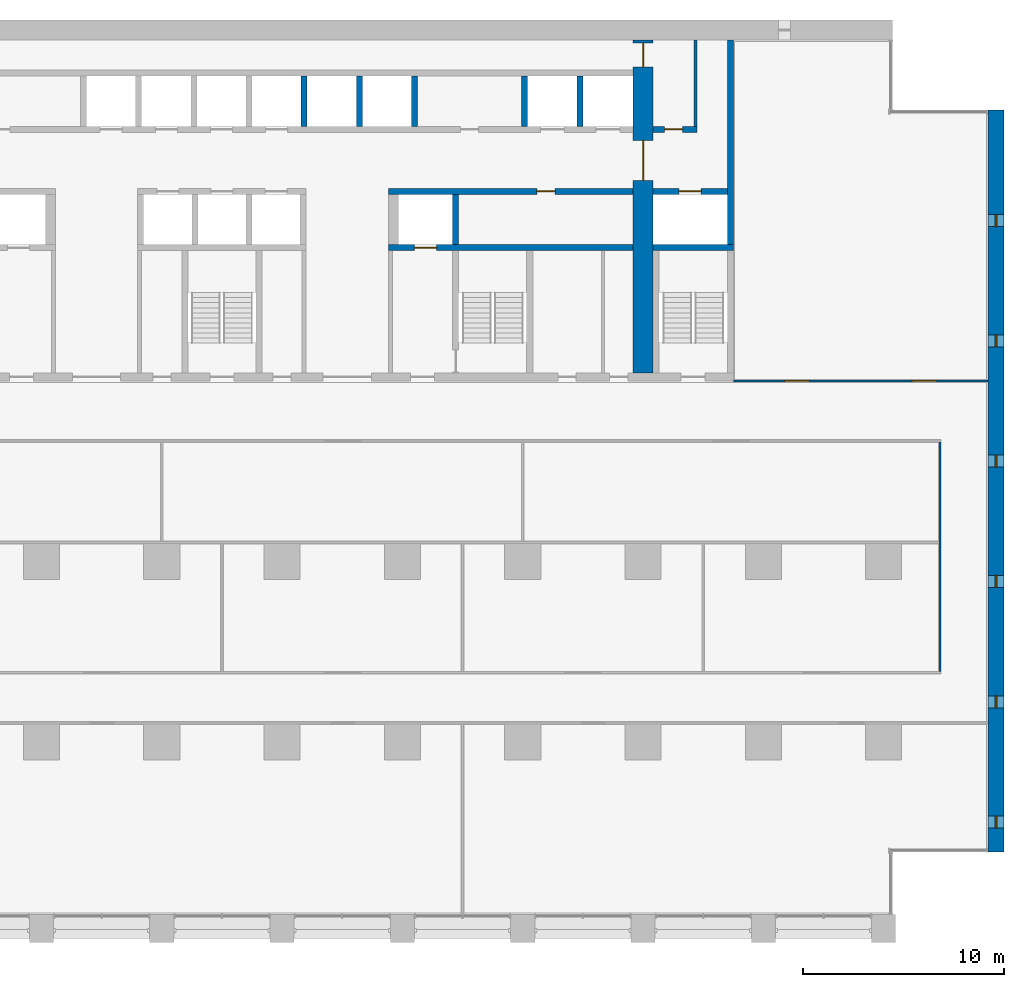
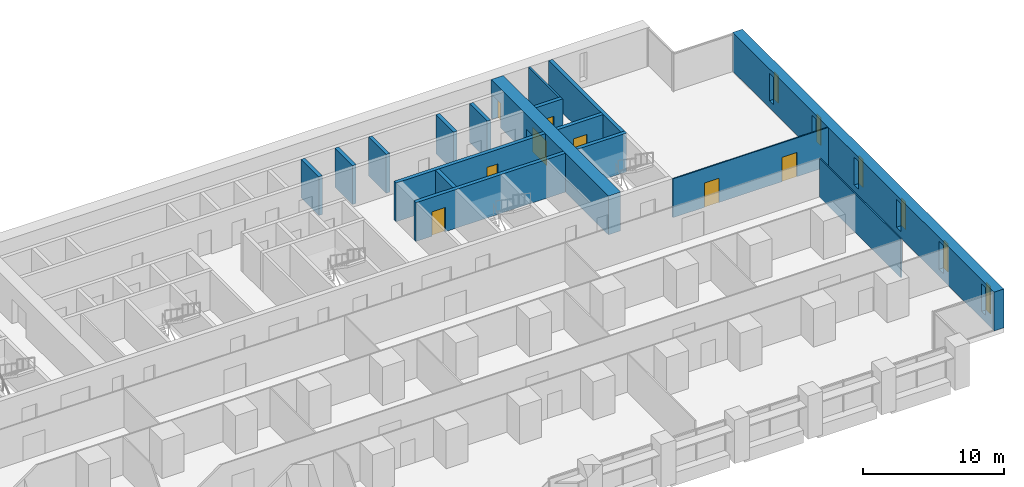
# One storey, part 13 of 18: 17 walls, 8 doors, 6 windows, 14 openings.
"""IFC4 building model written with IfcOpenShell, lengths in metres."""

from ifc_helpers import new_model, si_unit, direction, frame, frame_2d, origin, place, context, subcontext, project, spatial, rectangle, extrude, material, layer, layer_set, type_object, element, fill, save


model = new_model("IFC4")

# Units and contexts
model_context = context("Model", 3, precision=1e-05, world=origin(), true_north=direction((0.0, 1.0)))
body_context = subcontext(model_context, "Body", "Model", "MODEL_VIEW")
ifc_project = project(units=[si_unit("LENGTHUNIT", "METRE"), si_unit("AREAUNIT", "SQUARE_METRE"), si_unit("VOLUMEUNIT", "CUBIC_METRE"), si_unit("PLANEANGLEUNIT", "RADIAN"), si_unit("MASSUNIT", "GRAM", prefix="KILO")], contexts=[model_context])

# Site, building, storey
site_placement = place(None, origin())
site = spatial("IfcSite", under=ifc_project, at=site_placement, CompositionType="ELEMENT")
building_placement = place(site_placement, origin())
building = spatial("IfcBuilding", under=site, at=building_placement, Name="Calvaro Tower", CompositionType="ELEMENT")
storey_placement = place(building_placement, frame((0.0, 0.0, 33.75)))
storey = spatial("IfcBuildingStorey", under=building, at=storey_placement, Name="L07", CompositionType="ELEMENT", Elevation=33.75)

# Wall
ifc_material_1 = material(Name="Blockwork partition", Category="masonry")
ifc_layer_1 = layer(ifc_material_1, 0.14990234375)
ifc_layer_set_1 = layer_set([ifc_layer_1], Name="Blockwork partition")
wall_type_1 = type_object("IfcWallType", Name="Core partition 150 REI 120", PredefinedType="PARTITIONING", material=ifc_layer_set_1)
wall_1_placement = place(storey_placement, frame((62.625, 40.699951171875, 0.0), z_axis=(0.0, 0.0, 1.0), x_axis=(0.0, 1.0, 0.0)))
element("IfcWall", 1, at=wall_1_placement, inside=storey, type_object=wall_type_1, Name="Core partition", PredefinedType="PARTITIONING", context=body_context, shape_type="SweptSolid", body=[
    extrude(rectangle(XDim=4.300048828125, YDim=0.14990234375, at=frame_2d((2.14990234375, 0.0))), origin(), (0.0, 0.0, 1.0), 3.35009765625),
])

# Wall, opening, door
ifc_material_2 = material(Name="Blockwork partition", Category="masonry")
ifc_layer_2 = layer(ifc_material_2, 0.300048828125)
ifc_layer_set_2 = layer_set([ifc_layer_2], Name="Blockwork partition")
wall_type_2 = type_object("IfcWallType", Name="Core partition 300 REI 120", PredefinedType="PARTITIONING", material=ifc_layer_set_2)
wall_2_placement = place(storey_placement, frame((60.5, 40.550048828125, 0.0), z_axis=(0.0, 0.0, 1.0), x_axis=(1.0, 0.0, 0.0)))
wall_2 = element("IfcWall", 2, at=wall_2_placement, inside=storey, type_object=wall_type_2, Name="Core partition", PredefinedType="PARTITIONING", context=body_context, shape_type="SweptSolid", body=[
    extrude(rectangle(XDim=2.199951171875, YDim=0.300048828125, at=frame_2d((1.10009765625, 0.0))), origin(), (0.0, 0.0, 1.0), 3.35009765625),
])
opening_1_placement = place(wall_2_placement, frame((0.574951171875, 0.0, 0.0)))
opening_1 = element("IfcOpeningElement", 3, at=opening_1_placement, cuts=wall_2, Name="Opening RD9E", PredefinedType="OPENING", context=body_context, shape_type="SweptSolid", body=[
    extrude(rectangle(XDim=0.89990234375, YDim=2.10009765625, at=frame_2d((0.449951171875, 1.050048828125))), frame((0.0, 0.159912109375, 0.0), z_axis=(0.0, -1.0, 0.0), x_axis=(1.0, 0.0, 0.0)), (0.0, 0.0, 1.0), 0.320068359375),
])
ifc_material_3 = material(Name="Steel door set", Category="steel")
door_type_1 = type_object("IfcDoorType", Name="Room door 900 FD60", OperationType="SINGLE_SWING_LEFT", PredefinedType="DOOR", material=ifc_material_3)
door_1_placement = place(opening_1_placement, origin())
door_1 = element("IfcDoor", 4, at=door_1_placement, inside=storey, type_object=door_type_1, Name="Room door", OperationType="SINGLE_SWING_LEFT", OverallHeight=2.10009765625, OverallWidth=0.89990234375, PredefinedType="DOOR", context=body_context, shape_type="SweptSolid", body=[
    extrude(rectangle(XDim=0.89990234375, YDim=2.10009765625, at=frame_2d((0.449951171875, 1.050048828125))), frame((0.0, 0.02490234375, 0.0), z_axis=(0.0, -1.0, 0.0), x_axis=(1.0, 0.0, 0.0)), (0.0, 0.0, 1.0), 0.050048828125),
])
fill(opening_1, door_1)

# Wall, openings, doors
ifc_material_4 = material(Name="Concrete C80/95", Category="concrete")
ifc_layer_3 = layer(ifc_material_4, 1.0)
ifc_layer_set_3 = layer_set([ifc_layer_3], Name="Concrete C80/95")
wall_type_3 = type_object("IfcWallType", Name="Core wall C80/95 1000", PredefinedType="SHEAR", material=ifc_layer_set_3)
wall_3_placement = place(storey_placement, frame((60.0, 28.39990234375, 0.0), z_axis=(0.0, 0.0, 1.0), x_axis=(0.0, 1.0, 0.0)))
wall_3 = element("IfcWall", 5, at=wall_3_placement, inside=storey, type_object=wall_type_3, Name="Core wall, cross shear wall", PredefinedType="SHEAR", context=body_context, shape_type="SweptSolid", body=[
    extrude(rectangle(XDim=16.60009765625, YDim=1.0, at=frame_2d((8.300048828125, 0.0))), origin(), (0.0, 0.0, 1.0), 3.35009765625),
])
opening_2_placement = place(wall_3_placement, frame((9.60009765625, 0.0, 0.0)))
opening_2 = element("IfcOpeningElement", 6, at=opening_2_placement, cuts=wall_3, Name="Opening DD20D", PredefinedType="OPENING", context=body_context, shape_type="SweptSolid", body=[
    extrude(rectangle(XDim=2.0, YDim=2.10009765625, at=frame_2d((1.0, 1.050048828125))), frame((0.0, 0.510009765625, 0.0), z_axis=(0.0, -1.0, 0.0), x_axis=(1.0, 0.0, 0.0)), (0.0, 0.0, 1.0), 1.02001953125),
])
opening_3_placement = place(wall_3_placement, frame((15.25, 0.0, 0.0)))
opening_3 = element("IfcOpeningElement", 7, at=opening_3_placement, cuts=wall_3, Name="Opening FD12C", PredefinedType="OPENING", context=body_context, shape_type="SweptSolid", body=[
    extrude(rectangle(XDim=1.199951171875, YDim=2.10009765625, at=frame_2d((0.60009765625, 1.050048828125))), frame((0.0, 0.510009765625, 0.0), z_axis=(0.0, -1.0, 0.0), x_axis=(1.0, 0.0, 0.0)), (0.0, 0.0, 1.0), 1.02001953125),
])
ifc_material_5 = material(Name="Steel door set", Category="steel")
door_type_2 = type_object("IfcDoorType", Name="Fire door 1200 FD30", OperationType="SINGLE_SWING_LEFT", PredefinedType="DOOR", material=ifc_material_5)
door_2_placement = place(opening_3_placement, origin())
door_2 = element("IfcDoor", 8, at=door_2_placement, inside=storey, type_object=door_type_2, Name="Fire door", OperationType="SINGLE_SWING_LEFT", OverallHeight=2.10009765625, OverallWidth=1.199951171875, PredefinedType="DOOR", context=body_context, shape_type="SweptSolid", body=[
    extrude(rectangle(XDim=1.199951171875, YDim=2.10009765625, at=frame_2d((0.60009765625, 1.050048828125))), frame((0.0, 0.02490234375, 0.0), z_axis=(0.0, -1.0, 0.0), x_axis=(1.0, 0.0, 0.0)), (0.0, 0.0, 1.0), 0.050048828125),
])
fill(opening_3, door_2)
ifc_material_6 = material(Name="Steel door set", Category="steel")
door_type_3 = type_object("IfcDoorType", Name="Lobby double door 2000 FD30S", OperationType="DOUBLE_DOOR_SINGLE_SWING", PredefinedType="DOOR", material=ifc_material_6)
door_3_placement = place(opening_2_placement, origin())
door_3 = element("IfcDoor", 9, at=door_3_placement, inside=storey, type_object=door_type_3, Name="Lobby double door", OperationType="DOUBLE_DOOR_SINGLE_SWING", OverallHeight=2.10009765625, OverallWidth=2.0, PredefinedType="DOOR", context=body_context, shape_type="SweptSolid", body=[
    extrude(rectangle(XDim=2.0, YDim=2.10009765625, at=frame_2d((1.0, 1.050048828125))), frame((0.0, 0.02490234375, 0.0), z_axis=(0.0, -1.0, 0.0), x_axis=(1.0, 0.0, 0.0)), (0.0, 0.0, 1.0), 0.050048828125),
])
fill(opening_2, door_3)

# Wall
ifc_material_7 = material(Name="Concrete C80/95", Category="concrete")
ifc_layer_4 = layer(ifc_material_7, 0.300048828125)
ifc_layer_set_4 = layer_set([ifc_layer_4], Name="Concrete C80/95")
wall_type_4 = type_object("IfcWallType", Name="Core wall C80/95 300", PredefinedType="SHEAR", material=ifc_layer_set_4)
wall_4_placement = place(storey_placement, frame((64.35009765625, 34.800048828125, 0.0), z_axis=(0.0, 0.0, 1.0), x_axis=(0.0, 1.0, 0.0)))
element("IfcWall", 10, at=wall_4_placement, inside=storey, type_object=wall_type_4, Name="Core wall, boundary", PredefinedType="SHEAR", context=body_context, shape_type="SweptSolid", body=[
    extrude(rectangle(XDim=10.199951171875, YDim=0.300048828125, at=frame_2d((5.10009765625, 0.0))), origin(), (0.0, 0.0, 1.0), 3.35009765625),
])

# Wall, opening, door
wall_5_placement = place(storey_placement, frame((47.300048828125, 34.64990234375, 0.0), z_axis=(0.0, 0.0, 1.0), x_axis=(1.0, 0.0, 0.0)))
wall_5 = element("IfcWall", 11, at=wall_5_placement, inside=storey, type_object=wall_type_4, Name="Core wall, lift shaft", PredefinedType="SHEAR", context=body_context, shape_type="SweptSolid", body=[
    extrude(rectangle(XDim=12.199951171875, YDim=0.300048828125, at=frame_2d((6.10009765625, 0.0))), origin(), (0.0, 0.0, 1.0), 3.35009765625),
])
opening_4_placement = place(wall_5_placement, frame((1.300048828125, 0.0, 0.0)))
opening_4 = element("IfcOpeningElement", 12, at=opening_4_placement, cuts=wall_5, Name="Opening FF2", PredefinedType="OPENING", context=body_context, shape_type="SweptSolid", body=[
    extrude(rectangle(XDim=1.10009765625, YDim=2.10009765625, at=frame_2d((0.550048828125, 1.050048828125))), frame((0.0, 0.159912109375, 0.0), z_axis=(0.0, -1.0, 0.0), x_axis=(1.0, 0.0, 0.0)), (0.0, 0.0, 1.0), 0.320068359375),
])
ifc_material_8 = material(Name="Stainless steel", Category="steel")
door_type_4 = type_object("IfcDoorType", Name="Landing door 1100 E 60", OperationType="SLIDING_TO_LEFT", PredefinedType="DOOR", material=ifc_material_8)
door_4_placement = place(opening_4_placement, origin())
door_4 = element("IfcDoor", 13, at=door_4_placement, inside=storey, type_object=door_type_4, Name="Landing door FF2", OperationType="SLIDING_TO_LEFT", OverallHeight=2.10009765625, OverallWidth=1.10009765625, PredefinedType="DOOR", context=body_context, shape_type="SweptSolid", body=[
    extrude(rectangle(XDim=1.10009765625, YDim=2.10009765625, at=frame_2d((0.550048828125, 1.050048828125))), frame((0.0, 0.02490234375, 0.0), z_axis=(0.0, -1.0, 0.0), x_axis=(1.0, 0.0, 0.0)), (0.0, 0.0, 1.0), 0.050048828125),
])
fill(opening_4, door_4)

# Wall
wall_6_placement = place(storey_placement, frame((60.5, 34.64990234375, 0.0), z_axis=(0.0, 0.0, 1.0), x_axis=(1.0, 0.0, 0.0)))
element("IfcWall", 14, at=wall_6_placement, inside=storey, type_object=wall_type_4, Name="Core wall, lift shaft", PredefinedType="SHEAR", context=body_context, shape_type="SweptSolid", body=[
    extrude(rectangle(XDim=4.0, YDim=0.300048828125, at=frame_2d((2.0, 0.0))), origin(), (0.0, 0.0, 1.0), 3.35009765625),
])

# Wall, opening, door
wall_7_placement = place(storey_placement, frame((59.5, 37.449951171875, 0.0), z_axis=(0.0, 0.0, 1.0), x_axis=(-1.0, 0.0, 0.0)))
wall_7 = element("IfcWall", 15, at=wall_7_placement, inside=storey, type_object=wall_type_4, Name="Core wall, bay", PredefinedType="SHEAR", context=body_context, shape_type="SweptSolid", body=[
    extrude(rectangle(XDim=12.199951171875, YDim=0.300048828125, at=frame_2d((6.10009765625, 0.0))), origin(), (0.0, 0.0, 1.0), 3.35009765625),
])
opening_5_placement = place(wall_7_placement, frame((3.89990234375, 0.0, 0.0)))
opening_5 = element("IfcOpeningElement", 16, at=opening_5_placement, cuts=wall_7, Name="Opening RD9C", PredefinedType="OPENING", context=body_context, shape_type="SweptSolid", body=[
    extrude(rectangle(XDim=0.89990234375, YDim=2.10009765625, at=frame_2d((0.449951171875, 1.050048828125))), frame((0.0, 0.159912109375, 0.0), z_axis=(0.0, -1.0, 0.0), x_axis=(1.0, 0.0, 0.0)), (0.0, 0.0, 1.0), 0.320068359375),
])
ifc_material_9 = material(Name="Steel door set", Category="steel")
door_type_5 = type_object("IfcDoorType", Name="Room door 900 FD30", OperationType="SINGLE_SWING_LEFT", PredefinedType="DOOR", material=ifc_material_9)
door_5_placement = place(opening_5_placement, origin())
door_5 = element("IfcDoor", 17, at=door_5_placement, inside=storey, type_object=door_type_5, Name="Room door", OperationType="SINGLE_SWING_RIGHT", OverallHeight=2.10009765625, OverallWidth=0.89990234375, PredefinedType="DOOR", context=body_context, shape_type="SweptSolid", body=[
    extrude(rectangle(XDim=0.89990234375, YDim=2.10009765625, at=frame_2d((0.449951171875, 1.050048828125))), frame((0.0, 0.02490234375, 0.0), z_axis=(0.0, -1.0, 0.0), x_axis=(1.0, 0.0, 0.0)), (0.0, 0.0, 1.0), 0.050048828125),
])
fill(opening_5, door_5)

wall_8_placement = place(storey_placement, frame((60.5, 37.449951171875, 0.0), z_axis=(0.0, 0.0, 1.0), x_axis=(1.0, 0.0, 0.0)))
wall_8 = element("IfcWall", 18, at=wall_8_placement, inside=storey, type_object=wall_type_4, Name="Core wall, lift shaft", PredefinedType="SHEAR", context=body_context, shape_type="SweptSolid", body=[
    extrude(rectangle(XDim=3.699951171875, YDim=0.300048828125, at=frame_2d((1.85009765625, 0.0))), origin(), (0.0, 0.0, 1.0), 3.35009765625),
])
opening_6_placement = place(wall_8_placement, frame((1.300048828125, 0.0, 0.0)))
opening_6 = element("IfcOpeningElement", 19, at=opening_6_placement, cuts=wall_8, Name="Opening FF3", PredefinedType="OPENING", context=body_context, shape_type="SweptSolid", body=[
    extrude(rectangle(XDim=1.10009765625, YDim=2.10009765625, at=frame_2d((0.550048828125, 1.050048828125))), frame((0.0, 0.159912109375, 0.0), z_axis=(0.0, -1.0, 0.0), x_axis=(1.0, 0.0, 0.0)), (0.0, 0.0, 1.0), 0.320068359375),
])
door_6_placement = place(opening_6_placement, origin())
door_6 = element("IfcDoor", 20, at=door_6_placement, inside=storey, type_object=door_type_4, Name="Landing door FF3", OperationType="SLIDING_TO_LEFT", OverallHeight=2.10009765625, OverallWidth=1.10009765625, PredefinedType="DOOR", context=body_context, shape_type="SweptSolid", body=[
    extrude(rectangle(XDim=1.10009765625, YDim=2.10009765625, at=frame_2d((0.550048828125, 1.050048828125))), frame((0.0, 0.02490234375, 0.0), z_axis=(0.0, -1.0, 0.0), x_axis=(1.0, 0.0, 0.0)), (0.0, 0.0, 1.0), 0.050048828125),
])
fill(opening_6, door_6)

# Walls
for number, where, z_axis, x_axis, name in (
    (21, (50.64990234375, 34.800048828125, 0.0), (0.0, 0.0, 1.0), (0.0, 1.0, 0.0), "Core wall, lift shaft"),
    (22, (43.10009765625, 40.699951171875, 0.0), (0.0, 0.0, 1.0), (0.0, 1.0, 0.0), "Core wall, lift shaft"),
    (23, (45.85009765625, 40.699951171875, 0.0), (0.0, 0.0, 1.0), (0.0, 1.0, 0.0), "Core wall, lift shaft"),
    (24, (48.60009765625, 40.699951171875, 0.0), (0.0, 0.0, 1.0), (0.0, 1.0, 0.0), "Core wall, lift shaft"),
    (25, (54.10009765625, 40.699951171875, 0.0), (0.0, 0.0, 1.0), (0.0, 1.0, 0.0), "Core wall, lift shaft"),
    (26, (56.85009765625, 40.699951171875, 0.0), (0.0, 0.0, 1.0), (0.0, 1.0, 0.0), "Core wall, lift shaft"),
):
    element("IfcWall", number, at=place(storey_placement, frame(where, z_axis=z_axis, x_axis=x_axis)), inside=storey, type_object=wall_type_4, Name=name, PredefinedType="SHEAR", context=body_context, shape_type="SweptSolid", body=[
        extrude(rectangle(XDim=2.5, YDim=0.300048828125, at=frame_2d((1.25, 0.0))), origin(), (0.0, 0.0, 1.0), 3.35009765625),
    ])

# Wall, openings, windows
ifc_material_10 = material(Name="Concrete C80/95", Category="concrete")
ifc_layer_5 = layer(ifc_material_10, 0.800048828125)
ifc_layer_set_5 = layer_set([ifc_layer_5], Name="Concrete C80/95")
wall_type_5 = type_object("IfcWallType", Name="End wall 800 C80/95", PredefinedType="SHEAR", material=ifc_layer_set_5)
wall_9_placement = place(storey_placement, frame((77.60009765625, 4.5, 0.0), z_axis=(0.0, 0.0, 1.0), x_axis=(0.0, 1.0, 0.0)))
wall_9 = element("IfcWall", 27, at=wall_9_placement, inside=storey, type_object=wall_type_5, Name="End shear wall", PredefinedType="SHEAR", context=body_context, shape_type="SweptSolid", body=[
    extrude(rectangle(XDim=37.0, YDim=0.800048828125, at=frame_2d((18.5, 0.0))), origin(), (0.0, 0.0, 1.0), 3.35009765625),
])
opening_7_placement = place(wall_9_placement, frame((1.199951171875, 0.0, 0.60009765625)))
opening_7 = element("IfcOpeningElement", 28, at=opening_7_placement, cuts=wall_9, Name="Opening WE01", PredefinedType="OPENING", context=body_context, shape_type="SweptSolid", body=[
    extrude(rectangle(XDim=0.60009765625, YDim=2.39990234375, at=frame_2d((0.300048828125, 1.199951171875))), frame((0.0, 0.409912109375, 0.0), z_axis=(0.0, -1.0, 0.0), x_axis=(1.0, 0.0, 0.0)), (0.0, 0.0, 1.0), 0.820068359375),
])
opening_8_placement = place(wall_9_placement, frame((7.199951171875, 0.0, 0.60009765625)))
opening_8 = element("IfcOpeningElement", 29, at=opening_8_placement, cuts=wall_9, Name="Opening WE02", PredefinedType="OPENING", context=body_context, shape_type="SweptSolid", body=[
    extrude(rectangle(XDim=0.60009765625, YDim=2.39990234375, at=frame_2d((0.300048828125, 1.199951171875))), frame((0.0, 0.409912109375, 0.0), z_axis=(0.0, -1.0, 0.0), x_axis=(1.0, 0.0, 0.0)), (0.0, 0.0, 1.0), 0.820068359375),
])
opening_9_placement = place(wall_9_placement, frame((13.199951171875, 0.0, 0.60009765625)))
opening_9 = element("IfcOpeningElement", 30, at=opening_9_placement, cuts=wall_9, Name="Opening WE03", PredefinedType="OPENING", context=body_context, shape_type="SweptSolid", body=[
    extrude(rectangle(XDim=0.60009765625, YDim=2.39990234375, at=frame_2d((0.300048828125, 1.199951171875))), frame((0.0, 0.409912109375, 0.0), z_axis=(0.0, -1.0, 0.0), x_axis=(1.0, 0.0, 0.0)), (0.0, 0.0, 1.0), 0.820068359375),
])
opening_10_placement = place(wall_9_placement, frame((19.199951171875, 0.0, 0.60009765625)))
opening_10 = element("IfcOpeningElement", 31, at=opening_10_placement, cuts=wall_9, Name="Opening WE04", PredefinedType="OPENING", context=body_context, shape_type="SweptSolid", body=[
    extrude(rectangle(XDim=0.60009765625, YDim=2.39990234375, at=frame_2d((0.300048828125, 1.199951171875))), frame((0.0, 0.409912109375, 0.0), z_axis=(0.0, -1.0, 0.0), x_axis=(1.0, 0.0, 0.0)), (0.0, 0.0, 1.0), 0.820068359375),
])
opening_11_placement = place(wall_9_placement, frame((25.199951171875, 0.0, 0.60009765625)))
opening_11 = element("IfcOpeningElement", 32, at=opening_11_placement, cuts=wall_9, Name="Opening WE05", PredefinedType="OPENING", context=body_context, shape_type="SweptSolid", body=[
    extrude(rectangle(XDim=0.60009765625, YDim=2.39990234375, at=frame_2d((0.300048828125, 1.199951171875))), frame((0.0, 0.409912109375, 0.0), z_axis=(0.0, -1.0, 0.0), x_axis=(1.0, 0.0, 0.0)), (0.0, 0.0, 1.0), 0.820068359375),
])
opening_12_placement = place(wall_9_placement, frame((31.199951171875, 0.0, 0.60009765625)))
opening_12 = element("IfcOpeningElement", 33, at=opening_12_placement, cuts=wall_9, Name="Opening WE06", PredefinedType="OPENING", context=body_context, shape_type="SweptSolid", body=[
    extrude(rectangle(XDim=0.60009765625, YDim=2.39990234375, at=frame_2d((0.300048828125, 1.199951171875))), frame((0.0, 0.409912109375, 0.0), z_axis=(0.0, -1.0, 0.0), x_axis=(1.0, 0.0, 0.0)), (0.0, 0.0, 1.0), 0.820068359375),
])
ifc_material_11 = material(Name="Glass", Category="glass")
window_type = type_object("IfcWindowType", Name="Slit window 600 x 2400", PartitioningType="SINGLE_PANEL", PredefinedType="WINDOW", material=ifc_material_11)
window_1_placement = place(opening_7_placement, origin())
window_1 = element("IfcWindow", 34, at=window_1_placement, inside=storey, type_object=window_type, Name="Window WE01", OverallHeight=2.39990234375, OverallWidth=0.60009765625, PartitioningType="SINGLE_PANEL", PredefinedType="WINDOW", context=body_context, shape_type="SweptSolid", body=[
    extrude(rectangle(XDim=0.60009765625, YDim=2.39990234375, at=frame_2d((0.300048828125, 1.199951171875))), frame((0.0, 0.030029296875, 0.0), z_axis=(0.0, -1.0, 0.0), x_axis=(1.0, 0.0, 0.0)), (0.0, 0.0, 1.0), 0.06005859375),
])
fill(opening_7, window_1)
window_2_placement = place(opening_8_placement, origin())
window_2 = element("IfcWindow", 35, at=window_2_placement, inside=storey, type_object=window_type, Name="Window WE02", OverallHeight=2.39990234375, OverallWidth=0.60009765625, PartitioningType="SINGLE_PANEL", PredefinedType="WINDOW", context=body_context, shape_type="SweptSolid", body=[
    extrude(rectangle(XDim=0.60009765625, YDim=2.39990234375, at=frame_2d((0.300048828125, 1.199951171875))), frame((0.0, 0.030029296875, 0.0), z_axis=(0.0, -1.0, 0.0), x_axis=(1.0, 0.0, 0.0)), (0.0, 0.0, 1.0), 0.06005859375),
])
fill(opening_8, window_2)
window_3_placement = place(opening_9_placement, origin())
window_3 = element("IfcWindow", 36, at=window_3_placement, inside=storey, type_object=window_type, Name="Window WE03", OverallHeight=2.39990234375, OverallWidth=0.60009765625, PartitioningType="SINGLE_PANEL", PredefinedType="WINDOW", context=body_context, shape_type="SweptSolid", body=[
    extrude(rectangle(XDim=0.60009765625, YDim=2.39990234375, at=frame_2d((0.300048828125, 1.199951171875))), frame((0.0, 0.030029296875, 0.0), z_axis=(0.0, -1.0, 0.0), x_axis=(1.0, 0.0, 0.0)), (0.0, 0.0, 1.0), 0.06005859375),
])
fill(opening_9, window_3)
window_4_placement = place(opening_10_placement, origin())
window_4 = element("IfcWindow", 37, at=window_4_placement, inside=storey, type_object=window_type, Name="Window WE04", OverallHeight=2.39990234375, OverallWidth=0.60009765625, PartitioningType="SINGLE_PANEL", PredefinedType="WINDOW", context=body_context, shape_type="SweptSolid", body=[
    extrude(rectangle(XDim=0.60009765625, YDim=2.39990234375, at=frame_2d((0.300048828125, 1.199951171875))), frame((0.0, 0.030029296875, 0.0), z_axis=(0.0, -1.0, 0.0), x_axis=(1.0, 0.0, 0.0)), (0.0, 0.0, 1.0), 0.06005859375),
])
fill(opening_10, window_4)
window_5_placement = place(opening_11_placement, origin())
window_5 = element("IfcWindow", 38, at=window_5_placement, inside=storey, type_object=window_type, Name="Window WE05", OverallHeight=2.39990234375, OverallWidth=0.60009765625, PartitioningType="SINGLE_PANEL", PredefinedType="WINDOW", context=body_context, shape_type="SweptSolid", body=[
    extrude(rectangle(XDim=0.60009765625, YDim=2.39990234375, at=frame_2d((0.300048828125, 1.199951171875))), frame((0.0, 0.030029296875, 0.0), z_axis=(0.0, -1.0, 0.0), x_axis=(1.0, 0.0, 0.0)), (0.0, 0.0, 1.0), 0.06005859375),
])
fill(opening_11, window_5)
window_6_placement = place(opening_12_placement, origin())
window_6 = element("IfcWindow", 39, at=window_6_placement, inside=storey, type_object=window_type, Name="Window WE06", OverallHeight=2.39990234375, OverallWidth=0.60009765625, PartitioningType="SINGLE_PANEL", PredefinedType="WINDOW", context=body_context, shape_type="SweptSolid", body=[
    extrude(rectangle(XDim=0.60009765625, YDim=2.39990234375, at=frame_2d((0.300048828125, 1.199951171875))), frame((0.0, 0.030029296875, 0.0), z_axis=(0.0, -1.0, 0.0), x_axis=(1.0, 0.0, 0.0)), (0.0, 0.0, 1.0), 0.06005859375),
])
fill(opening_12, window_6)

# Wall, openings, doors
ifc_material_12 = material(Name="Plasterboard on steel studs", Category="steel")
ifc_layer_6 = layer(ifc_material_12, 0.10009765625)
ifc_layer_set_6 = layer_set([ifc_layer_6], Name="Plasterboard on steel studs")
wall_type_6 = type_object("IfcWallType", Name="Partition 100", PredefinedType="PARTITIONING", material=ifc_layer_set_6)
wall_10_placement = place(storey_placement, frame((64.5, 28.0, 0.0), z_axis=(0.0, 0.0, 1.0), x_axis=(1.0, 0.0, 0.0)))
wall_10 = element("IfcWall", 40, at=wall_10_placement, inside=storey, type_object=wall_type_6, Name="Partition T08.W006", PredefinedType="PARTITIONING", context=body_context, shape_type="SweptSolid", body=[
    extrude(rectangle(XDim=12.699951171875, YDim=0.10009765625, at=frame_2d((6.35009765625, 0.0))), origin(), (0.0, 0.0, 1.0), 3.35009765625),
])
opening_13_placement = place(wall_10_placement, frame((2.574951171875, 0.0, 0.0)))
opening_13 = element("IfcOpeningElement", 41, at=opening_13_placement, cuts=wall_10, Name="Opening T08.018", PredefinedType="OPENING", context=body_context, shape_type="SweptSolid", body=[
    extrude(rectangle(XDim=1.199951171875, YDim=2.10009765625, at=frame_2d((0.60009765625, 1.050048828125))), frame((0.0, 0.06005859375, 0.0), z_axis=(0.0, -1.0, 0.0), x_axis=(1.0, 0.0, 0.0)), (0.0, 0.0, 1.0), 0.1201171875),
])
opening_14_placement = place(wall_10_placement, frame((8.925048828125, 0.0, 0.0)))
opening_14 = element("IfcOpeningElement", 42, at=opening_14_placement, cuts=wall_10, Name="Opening T08.019", PredefinedType="OPENING", context=body_context, shape_type="SweptSolid", body=[
    extrude(rectangle(XDim=1.199951171875, YDim=2.10009765625, at=frame_2d((0.60009765625, 1.050048828125))), frame((0.0, 0.06005859375, 0.0), z_axis=(0.0, -1.0, 0.0), x_axis=(1.0, 0.0, 0.0)), (0.0, 0.0, 1.0), 0.1201171875),
])
ifc_material_13 = material(Name="Timber", Category="wood")
door_type_6 = type_object("IfcDoorType", Name="Internal single door 1200 x 2100", OperationType="SINGLE_SWING_LEFT", PredefinedType="DOOR", material=ifc_material_13)
door_7_placement = place(opening_13_placement, origin())
door_7 = element("IfcDoor", 43, at=door_7_placement, inside=storey, type_object=door_type_6, Name="Door T08.018", OperationType="SINGLE_SWING_LEFT", OverallHeight=2.10009765625, OverallWidth=1.199951171875, PredefinedType="DOOR", context=body_context, shape_type="SweptSolid", body=[
    extrude(rectangle(XDim=1.199951171875, YDim=2.10009765625, at=frame_2d((0.60009765625, 1.050048828125))), frame((0.0, 0.02490234375, 0.0), z_axis=(0.0, -1.0, 0.0), x_axis=(1.0, 0.0, 0.0)), (0.0, 0.0, 1.0), 0.050048828125),
])
fill(opening_13, door_7)
door_8_placement = place(opening_14_placement, origin())
door_8 = element("IfcDoor", 44, at=door_8_placement, inside=storey, type_object=door_type_6, Name="Door T08.019", OperationType="SINGLE_SWING_RIGHT", OverallHeight=2.10009765625, OverallWidth=1.199951171875, PredefinedType="DOOR", context=body_context, shape_type="SweptSolid", body=[
    extrude(rectangle(XDim=1.199951171875, YDim=2.10009765625, at=frame_2d((0.60009765625, 1.050048828125))), frame((0.0, 0.02490234375, 0.0), z_axis=(0.0, -1.0, 0.0), x_axis=(1.0, 0.0, 0.0)), (0.0, 0.0, 1.0), 0.050048828125),
])
fill(opening_14, door_8)

# Wall
wall_11_placement = place(storey_placement, frame((74.800048828125, 13.5, 0.0), z_axis=(0.0, 0.0, 1.0), x_axis=(0.0, 1.0, 0.0)))
element("IfcWall", 45, at=wall_11_placement, inside=storey, type_object=wall_type_6, Name="Partition T08.W018", PredefinedType="PARTITIONING", context=body_context, shape_type="SweptSolid", body=[
    extrude(rectangle(XDim=11.449951171875, YDim=0.10009765625, at=frame_2d((5.72509765625, 0.0))), origin(), (0.0, 0.0, 1.0), 3.35009765625),
])

save(model, "model.ifc")
